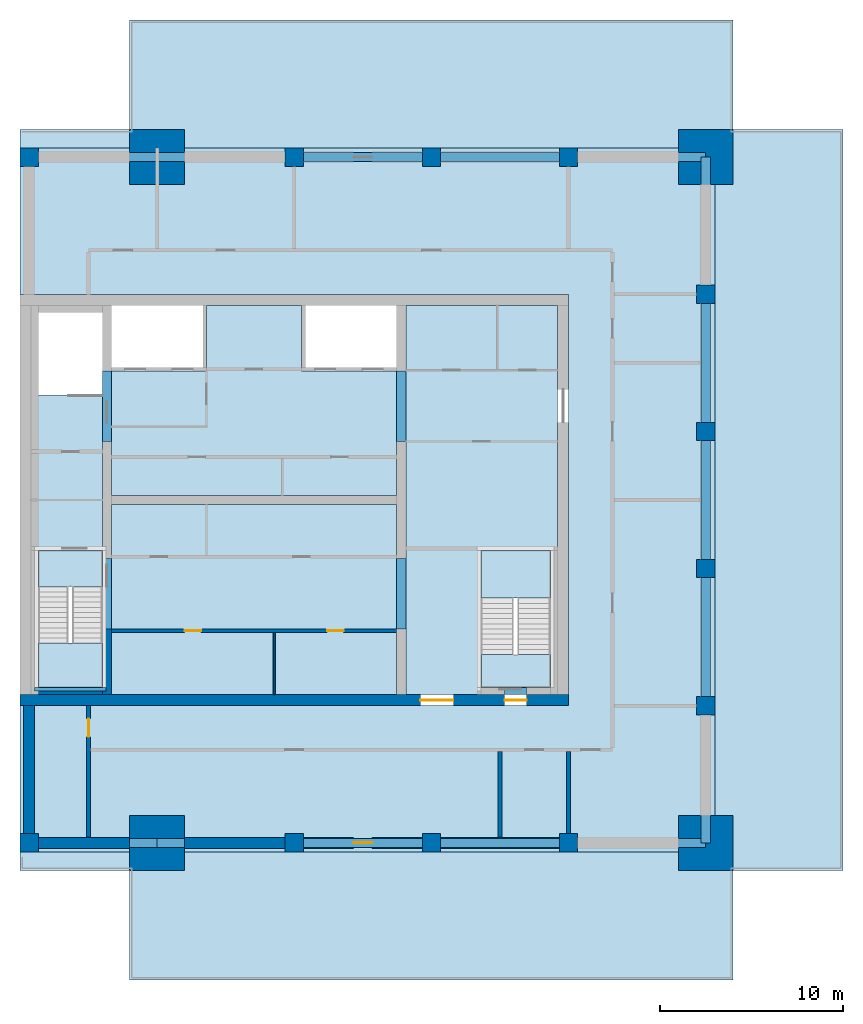
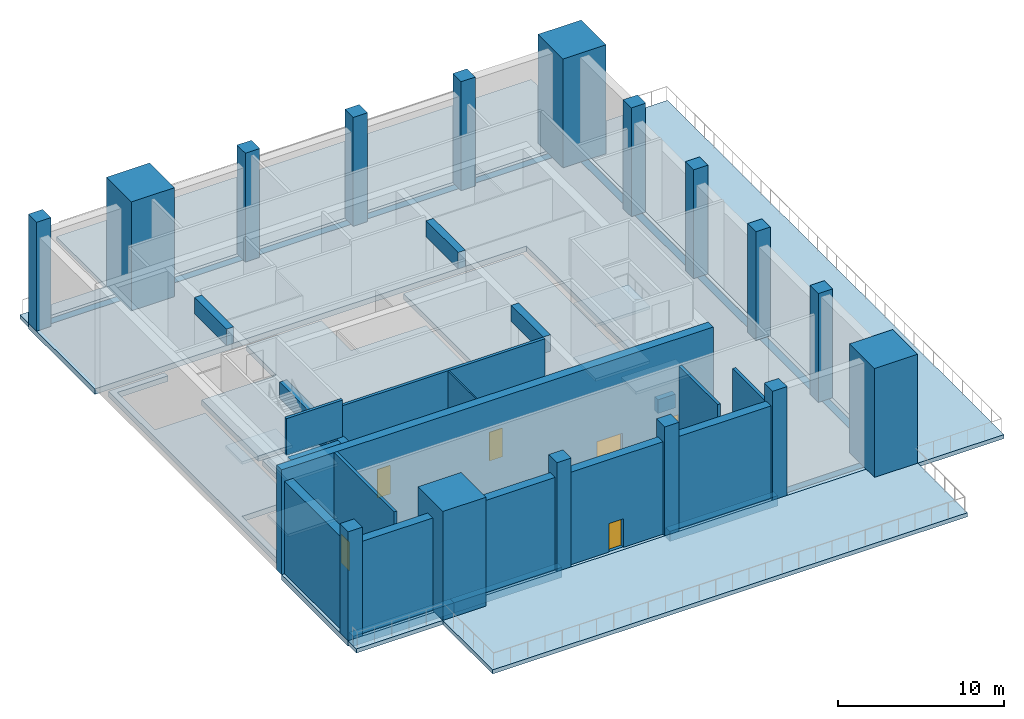
# One storey, part 1 of 7: 20 beams, 16 columns, 14 walls, 12 slabs, 6 doors, 6 openings, 2 elements without a shape of their own.
"""IFC4 building model written with IfcOpenShell, lengths in metres."""

from ifc_helpers import new_model, si_unit, direction, frame, frame_2d, origin, origin_2d, place, context, subcontext, project, spatial, polyline, rectangle, outline, extrude, material, layer, layer_set, material_profile, profile_set, type_object, element, fill, aggregate, save


model = new_model("IFC4")

# Units and contexts
model_context = context("Model", 3, precision=1e-05, world=origin(), true_north=direction((0.0, 1.0)))
body_context = subcontext(model_context, "Body", "Model", "MODEL_VIEW")
ifc_project = project(units=[si_unit("LENGTHUNIT", "METRE"), si_unit("AREAUNIT", "SQUARE_METRE"), si_unit("VOLUMEUNIT", "CUBIC_METRE"), si_unit("PLANEANGLEUNIT", "RADIAN"), si_unit("MASSUNIT", "GRAM", prefix="KILO")], contexts=[model_context])

# Site, building, storey
site_placement = place(None, origin())
site = spatial("IfcSite", under=ifc_project, at=site_placement, CompositionType="ELEMENT")
building_placement = place(site_placement, origin())
building = spatial("IfcBuilding", under=site, at=building_placement, Name="Tamorin Gate", CompositionType="ELEMENT")
storey_placement = place(building_placement, frame((0.0, 0.0, 320.199951171875)))
storey = spatial("IfcBuildingStorey", under=building, at=storey_placement, Name="L78", CompositionType="ELEMENT", Elevation=320.199951171875)

# Columns
ifc_material_1 = material(Name="Concrete C50/60", Category="concrete")
ifc_material_profile_1 = material_profile(ifc_material_1, rectangle(XDim=1.0, YDim=1.0, at=origin_2d()), Name="RC 1000x1000")
ifc_profile_set_1 = profile_set([ifc_material_profile_1], Name="Concrete C50/60")
column_type_1 = type_object("IfcColumnType", Name="RC column 1000x1000 C50/60", PredefinedType="COLUMN", material=ifc_profile_set_1)
for number, where, z_axis, x_axis, name in (
    (1, (30.5, 52.5, 0.0), (0.0, 0.0, 1.0), (1.0, 0.0, 0.0), "Ring column L78"),
    (2, (30.5, 90.0, 0.0), (0.0, 0.0, 1.0), (1.0, 0.0, 0.0), "Ring column L78"),
    (3, (45.0, 52.5, 0.0), (0.0, 0.0, 1.0), (1.0, 0.0, 0.0), "Ring column L78"),
    (4, (45.0, 90.0, 0.0), (0.0, 0.0, 1.0), (1.0, 0.0, 0.0), "Ring column L78"),
    (5, (52.5, 52.5, 0.0), (0.0, 0.0, 1.0), (1.0, 0.0, 0.0), "Ring column L78"),
    (6, (52.5, 90.0, 0.0), (0.0, 0.0, 1.0), (1.0, 0.0, 0.0), "Ring column L78"),
    (7, (60.0, 52.5, 0.0), (0.0, 0.0, 1.0), (1.0, 0.0, 0.0), "Ring column L78"),
    (8, (60.0, 90.0, 0.0), (0.0, 0.0, 1.0), (1.0, 0.0, 0.0), "Ring column L78"),
    (9, (67.5, 60.0, 0.0), (0.0, 0.0, 1.0), (1.0, 0.0, 0.0), "Ring column L78"),
    (10, (67.5, 67.5, 0.0), (0.0, 0.0, 1.0), (1.0, 0.0, 0.0), "Ring column L78"),
    (11, (67.5, 75.0, 0.0), (0.0, 0.0, 1.0), (1.0, 0.0, 0.0), "Ring column L78"),
    (12, (67.5, 82.5, 0.0), (0.0, 0.0, 1.0), (1.0, 0.0, 0.0), "Ring column L78"),
):
    element("IfcColumn", number, at=place(storey_placement, frame(where, z_axis=z_axis, x_axis=x_axis)), inside=storey, type_object=column_type_1, Name=name, PredefinedType="COLUMN", context=body_context, shape_type="SweptSolid", body=[
        extrude(rectangle(XDim=1.0, YDim=1.0, at=origin_2d()), origin(), (0.0, 0.0, 1.0), 8.0),
    ])
ifc_material_profile_2 = material_profile(ifc_material_1, rectangle(XDim=3.0, YDim=3.0, at=origin_2d()), Name="RC 3000x3000")
ifc_profile_set_2 = profile_set([ifc_material_profile_2], Name="Concrete C50/60")
column_type_2 = type_object("IfcColumnType", Name="RC column 3000x3000 C50/60", PredefinedType="COLUMN", material=ifc_profile_set_2)
for number, where, z_axis, x_axis, name in (
    (13, (37.5, 52.5, 0.0), (0.0, 0.0, 1.0), (1.0, 0.0, 0.0), "Mega column SW L78"),
    (14, (67.5, 52.5, 0.0), (0.0, 0.0, 1.0), (1.0, 0.0, 0.0), "Mega column SE L78"),
    (15, (37.5, 90.0, 0.0), (0.0, 0.0, 1.0), (1.0, 0.0, 0.0), "Mega column NW L78"),
    (16, (67.5, 90.0, 0.0), (0.0, 0.0, 1.0), (1.0, 0.0, 0.0), "Mega column NE L78"),
):
    element("IfcColumn", number, at=place(storey_placement, frame(where, z_axis=z_axis, x_axis=x_axis)), inside=storey, type_object=column_type_2, Name=name, PredefinedType="COLUMN", context=body_context, shape_type="SweptSolid", body=[
        extrude(rectangle(XDim=3.0, YDim=3.0, at=origin_2d()), origin(), (0.0, 0.0, 1.0), 8.0),
    ])

# Beams
ifc_material_profile_3 = material_profile(ifc_material_1, rectangle(XDim=0.5, YDim=1.199951171875, at=origin_2d()), Name="RC 500x1200")
ifc_profile_set_3 = profile_set([ifc_material_profile_3], Name="Concrete C50/60")
beam_type_1 = type_object("IfcBeamType", Name="RC coupling beam 500x1200 C50/60", PredefinedType="BEAM", material=ifc_profile_set_3)
for number, where, z_axis, x_axis, name in (
    (17, (34.75, 64.199951171875, 7.10009765625), (0.0, 1.0, 0.0), (-1.0, 0.0, 0.0), "Coupling beam L78"),
    (18, (34.75, 74.449951171875, 7.10009765625), (0.0, 1.0, 0.0), (-1.0, 0.0, 0.0), "Coupling beam L78"),
    (19, (50.85009765625, 64.199951171875, 7.10009765625), (0.0, 1.0, 0.0), (-1.0, 0.0, 0.0), "Coupling beam L78"),
    (20, (50.85009765625, 74.449951171875, 7.10009765625), (0.0, 1.0, 0.0), (-1.0, 0.0, 0.0), "Coupling beam L78"),
):
    element("IfcBeam", number, at=place(storey_placement, frame(where, z_axis=z_axis, x_axis=x_axis)), inside=storey, type_object=beam_type_1, Name=name, PredefinedType="BEAM", context=body_context, shape_type="SweptSolid", body=[
        extrude(rectangle(XDim=0.5, YDim=1.199951171875, at=origin_2d()), origin(), (0.0, 0.0, 1.0), 3.85009765625),
    ])
ifc_material_profile_4 = material_profile(ifc_material_1, rectangle(XDim=0.5, YDim=0.75, at=origin_2d()), Name="RC 500x750")
ifc_profile_set_4 = profile_set([ifc_material_profile_4], Name="Concrete C50/60")
beam_type_2 = type_object("IfcBeamType", Name="RC spandrel 500x750 C50/60", PredefinedType="BEAM", material=ifc_profile_set_4)
for number, where, z_axis, x_axis, name in (
    (21, (45.0, 52.5, -0.375), (1.0, 0.0, 0.0), (0.0, 1.0, 0.0), "Spandrel beam L78"),
    (22, (52.5, 52.5, -0.375), (1.0, 0.0, 0.0), (0.0, 1.0, 0.0), "Spandrel beam L78"),
    (23, (67.5, 60.0, -0.375), (0.0, 1.0, 0.0), (-1.0, 0.0, 0.0), "Spandrel beam L78"),
    (24, (67.5, 67.5, -0.375), (0.0, 1.0, 0.0), (-1.0, 0.0, 0.0), "Spandrel beam L78"),
    (25, (67.5, 75.0, -0.375), (0.0, 1.0, 0.0), (-1.0, 0.0, 0.0), "Spandrel beam L78"),
    (26, (60.0, 90.0, -0.375), (-1.0, 0.0, 0.0), (0.0, -1.0, 0.0), "Spandrel beam L78"),
    (27, (52.5, 90.0, -0.375), (-1.0, 0.0, 0.0), (0.0, -1.0, 0.0), "Spandrel beam L78"),
):
    element("IfcBeam", number, at=place(storey_placement, frame(where, z_axis=z_axis, x_axis=x_axis)), inside=storey, type_object=beam_type_2, Name=name, PredefinedType="BEAM", context=body_context, shape_type="SweptSolid", body=[
        extrude(rectangle(XDim=0.5, YDim=0.75, at=origin_2d()), origin(), (0.0, 0.0, 1.0), 7.5),
    ])
beam_1_placement = place(storey_placement, frame((37.5, 52.5, -0.375), z_axis=(-1.0, 0.0, 0.0), x_axis=(0.0, -1.0, 0.0)))
element("IfcBeam", 28, at=beam_1_placement, inside=storey, type_object=beam_type_2, Name="Corner tie beam L78", PredefinedType="BEAM", context=body_context, shape_type="SweptSolid", body=[
    extrude(rectangle(XDim=0.5, YDim=0.75, at=origin_2d()), origin(), (0.0, 0.0, 1.0), 7.0),
])
for number, where, z_axis, x_axis, name in (
    (29, (37.5, 52.5, -0.375), (1.0, 0.0, 0.0), (0.0, 1.0, 0.0), "Corner tie beam L78"),
    (30, (67.5, 52.5, -0.375), (-1.0, 0.0, 0.0), (0.0, -1.0, 0.0), "Corner tie beam L78"),
    (31, (67.5, 52.5, -0.375), (0.0, 1.0, 0.0), (-1.0, 0.0, 0.0), "Corner tie beam L78"),
):
    element("IfcBeam", number, at=place(storey_placement, frame(where, z_axis=z_axis, x_axis=x_axis)), inside=storey, type_object=beam_type_2, Name=name, PredefinedType="BEAM", context=body_context, shape_type="SweptSolid", body=[
        extrude(rectangle(XDim=0.5, YDim=0.75, at=origin_2d()), origin(), (0.0, 0.0, 1.0), 7.5),
    ])
beam_2_placement = place(storey_placement, frame((37.5, 90.0, -0.375), z_axis=(-1.0, 0.0, 0.0), x_axis=(0.0, -1.0, 0.0)))
element("IfcBeam", 32, at=beam_2_placement, inside=storey, type_object=beam_type_2, Name="Corner tie beam L78", PredefinedType="BEAM", context=body_context, shape_type="SweptSolid", body=[
    extrude(rectangle(XDim=0.5, YDim=0.75, at=origin_2d()), origin(), (0.0, 0.0, 1.0), 7.0),
])
for number, where, z_axis, x_axis, name in (
    (33, (37.5, 90.0, -0.375), (1.0, 0.0, 0.0), (0.0, 1.0, 0.0), "Corner tie beam L78"),
    (34, (67.5, 90.0, -0.375), (-1.0, 0.0, 0.0), (0.0, -1.0, 0.0), "Corner tie beam L78"),
    (35, (67.5, 90.0, -0.375), (0.0, -1.0, 0.0), (1.0, 0.0, 0.0), "Corner tie beam L78"),
):
    element("IfcBeam", number, at=place(storey_placement, frame(where, z_axis=z_axis, x_axis=x_axis)), inside=storey, type_object=beam_type_2, Name=name, PredefinedType="BEAM", context=body_context, shape_type="SweptSolid", body=[
        extrude(rectangle(XDim=0.5, YDim=0.75, at=origin_2d()), origin(), (0.0, 0.0, 1.0), 7.5),
    ])
ifc_material_profile_5 = material_profile(ifc_material_1, rectangle(XDim=0.39990234375, YDim=1.0, at=origin_2d()))
ifc_profile_set_5 = profile_set([ifc_material_profile_5], Name="Concrete C50/60")
beam_type_3 = type_object("IfcBeamType", Name="Stair lintel 400x1000 C50/60", PredefinedType="BEAM", material=ifc_profile_set_5)
beam_3_placement = place(storey_placement, frame((56.5, 60.800048828125, 2.699951171875), z_axis=(1.0, 0.0, 0.0), x_axis=(0.0, 1.0, 0.0)))
element("IfcBeam", 36, at=beam_3_placement, inside=storey, type_object=beam_type_3, Name="Stair lintel", PredefinedType="BEAM", context=body_context, shape_type="SweptSolid", body=[
    extrude(rectangle(XDim=0.39990234375, YDim=1.0, at=origin_2d()), origin(), (0.0, 0.0, 1.0), 1.199951171875),
])

# Slabs
ifc_material_2 = material(Name="Concrete C40/50", Category="concrete")
ifc_layer_1 = layer(ifc_material_2, 0.409912109375)
ifc_layer_set_1 = layer_set([ifc_layer_1], Name="Core floor slab 410 C40/50")
slab_type_1 = type_object("IfcSlabType", Name="Core floor slab 410 C40/50", PredefinedType="FLOOR", material=ifc_layer_set_1)
slab_1_placement = place(storey_placement, frame((0.0, 0.0, -0.409912109375)))
element("IfcSlab", 37, at=slab_1_placement, inside=storey, type_object=slab_type_1, Name="Core floor L78", PredefinedType="FLOOR", context=body_context, shape_type="SweptSolid", body=[
    extrude(outline(polyline([(51.10009765625, 81.89990234375), (59.39990234375, 81.89990234375), (59.39990234375, 60.60009765625), (51.10009765625, 60.60009765625), (51.10009765625, 81.89990234375)]), holes=[polyline([(55.199951171875, 62.800048828125), (59.0, 62.800048828125), (59.0, 68.5), (55.199951171875, 68.5), (55.199951171875, 62.800048828125)])]), origin(), (0.0, 0.0, 1.0), 0.409912109375),
])
slab_2_placement = place(storey_placement, frame((0.0, 0.0, -0.409912109375)))
element("IfcSlab", 38, at=slab_2_placement, inside=storey, type_object=slab_type_1, Name="Core floor L78", PredefinedType="FLOOR", context=body_context, shape_type="SweptSolid", body=[
    extrude(outline(polyline([(50.60009765625, 71.0), (50.60009765625, 60.60009765625), (35.0, 60.60009765625), (35.0, 71.0), (50.60009765625, 71.0)])), origin(), (0.0, 0.0, 1.0), 0.409912109375),
])
slab_3_placement = place(storey_placement, frame((0.0, 0.0, -0.409912109375)))
element("IfcSlab", 39, at=slab_3_placement, inside=storey, type_object=slab_type_1, Name="Core floor L78", PredefinedType="FLOOR", context=body_context, shape_type="SweptSolid", body=[
    extrude(outline(polyline([(40.199951171875, 78.300048828125), (40.199951171875, 81.89990234375), (45.39990234375, 81.89990234375), (45.39990234375, 78.300048828125), (50.60009765625, 78.300048828125), (50.60009765625, 71.5), (35.0, 71.5), (35.0, 78.300048828125), (40.199951171875, 78.300048828125)])), origin(), (0.0, 0.0, 1.0), 0.409912109375),
])
slab_4_placement = place(storey_placement, frame((0.0, 0.0, -0.409912109375)))
element("IfcSlab", 40, at=slab_4_placement, inside=storey, type_object=slab_type_1, Name="Core floor L78", PredefinedType="FLOOR", context=body_context, shape_type="SweptSolid", body=[
    extrude(outline(polyline([(34.5, 60.60009765625), (30.60009765625, 60.60009765625), (30.60009765625, 81.89990234375), (34.5, 81.89990234375), (34.5, 81.5), (31.0, 81.5), (31.0, 77.0), (34.5, 77.0), (34.5, 66.5), (31.0, 66.5), (31.0, 61.0), (34.5, 61.0), (34.5, 60.60009765625)])), origin(), (0.0, 0.0, 1.0), 0.409912109375),
])

# Stair, slabs
stair_type = type_object("IfcStairType", Name="Exit stair", PredefinedType="HALF_TURN_STAIR", material=ifc_material_2)
stair_1_placement = place(storey_placement, origin())
stair_1 = element("IfcStair", 41, at=stair_1_placement, inside=storey, type_object=stair_type, Name="L78 stair ST1", PredefinedType="HALF_TURN_STAIR")
ifc_layer_2 = layer(ifc_material_2, 0.199951171875)
ifc_layer_set_2 = layer_set([ifc_layer_2], Name="Exit stair landing 200")
slab_type_2 = type_object("IfcSlabType", Name="Exit stair landing 200", PredefinedType="LANDING", material=ifc_layer_set_2)
slab_5_placement = place(storey_placement, frame((0.0, 0.0, 1.800048828125)))
slab_5 = element("IfcSlab", 42, at=slab_5_placement, type_object=slab_type_2, Name="ST1 landing 1", PredefinedType="LANDING", context=body_context, shape_type="SweptSolid", body=[
    extrude(outline(polyline([(31.0, 63.419921875), (31.0, 61.0), (34.5, 61.0), (34.5, 63.419921875), (31.0, 63.419921875)])), origin(), (0.0, 0.0, 1.0), 0.199951171875),
])
slab_6_placement = place(storey_placement, frame((0.0, 0.0, 3.800048828125)))
slab_6 = element("IfcSlab", 43, at=slab_6_placement, type_object=slab_type_2, Name="ST1 landing 2", PredefinedType="LANDING", context=body_context, shape_type="SweptSolid", body=[
    extrude(outline(polyline([(31.0, 68.5), (31.0, 66.5), (34.5, 66.5), (34.5, 68.5), (31.0, 68.5)])), origin(), (0.0, 0.0, 1.0), 0.199951171875),
])
slab_7_placement = place(storey_placement, frame((0.0, 0.0, 5.800048828125)))
slab_7 = element("IfcSlab", 44, at=slab_7_placement, type_object=slab_type_2, Name="ST1 landing 3", PredefinedType="LANDING", context=body_context, shape_type="SweptSolid", body=[
    extrude(outline(polyline([(31.0, 63.419921875), (31.0, 61.0), (34.5, 61.0), (34.5, 63.419921875), (31.0, 63.419921875)])), origin(), (0.0, 0.0, 1.0), 0.199951171875),
])
aggregate(stair_1, [slab_5, slab_6, slab_7])

stair_2_placement = place(storey_placement, origin())
stair_2 = element("IfcStair", 45, at=stair_2_placement, inside=storey, type_object=stair_type, Name="L78 stair ST3", PredefinedType="HALF_TURN_STAIR")
slab_8_placement = place(storey_placement, frame((0.0, 0.0, 1.800048828125)))
slab_8 = element("IfcSlab", 46, at=slab_8_placement, type_object=slab_type_2, Name="ST3 landing 1", PredefinedType="LANDING", context=body_context, shape_type="SweptSolid", body=[
    extrude(outline(polyline([(59.0, 65.8798828125), (59.0, 68.5), (55.199951171875, 68.5), (55.199951171875, 65.8798828125), (59.0, 65.8798828125)])), origin(), (0.0, 0.0, 1.0), 0.199951171875),
])
slab_9_placement = place(storey_placement, frame((0.0, 0.0, 3.800048828125)))
slab_9 = element("IfcSlab", 47, at=slab_9_placement, type_object=slab_type_2, Name="ST3 landing 2", PredefinedType="LANDING", context=body_context, shape_type="SweptSolid", body=[
    extrude(outline(polyline([(59.0, 61.0), (59.0, 62.800048828125), (55.199951171875, 62.800048828125), (55.199951171875, 61.0), (59.0, 61.0)])), origin(), (0.0, 0.0, 1.0), 0.199951171875),
])
slab_10_placement = place(storey_placement, frame((0.0, 0.0, 5.800048828125)))
slab_10 = element("IfcSlab", 48, at=slab_10_placement, type_object=slab_type_2, Name="ST3 landing 3", PredefinedType="LANDING", context=body_context, shape_type="SweptSolid", body=[
    extrude(outline(polyline([(59.0, 65.8798828125), (59.0, 68.5), (55.199951171875, 68.5), (55.199951171875, 65.8798828125), (59.0, 65.8798828125)])), origin(), (0.0, 0.0, 1.0), 0.199951171875),
])
aggregate(stair_2, [slab_8, slab_9, slab_10])

# Slabs
ifc_material_3 = material(Name="Concrete C45/55", Category="concrete")
ifc_layer_3 = layer(ifc_material_3, 0.39990234375)
ifc_layer_set_3 = layer_set([ifc_layer_3], Name="Floor slab 400 C45/55")
slab_type_3 = type_object("IfcSlabType", Name="Floor slab 400 C45/55", PredefinedType="FLOOR", material=ifc_layer_set_3)
slab_11_placement = place(storey_placement, frame((0.0, 0.0, -0.39990234375)))
element("IfcSlab", 49, at=slab_11_placement, inside=storey, type_object=slab_type_3, Name="Floor L78", PredefinedType="FLOOR", context=body_context, shape_type="SweptSolid", body=[
    extrude(outline(polyline([(30.0, 90.5), (68.0, 90.5), (68.0, 52.0), (30.0, 52.0), (30.0, 60.0), (60.0, 60.0), (60.0, 82.5), (30.0, 82.5), (30.0, 90.5)])), origin(), (0.0, 0.0, 1.0), 0.39990234375),
])
ifc_layer_4 = layer(ifc_material_2, 0.300048828125)
ifc_layer_set_4 = layer_set([ifc_layer_4], Name="Terrace slab 300 C40/50")
slab_type_4 = type_object("IfcSlabType", Name="Terrace slab 300 C40/50", PredefinedType="ROOF", material=ifc_layer_set_4)
slab_12_placement = place(storey_placement, frame((0.0, 0.0, -0.300048828125)))
element("IfcSlab", 50, at=slab_12_placement, inside=storey, type_object=slab_type_4, Name="Terrace L78", PredefinedType="ROOF", context=body_context, shape_type="SweptSolid", body=[
    extrude(outline(polyline([(30.0, 91.5), (36.0, 91.5), (36.0, 97.5), (69.0, 97.5), (69.0, 91.5), (75.0, 91.5), (75.0, 51.0), (69.0, 51.0), (69.0, 45.0), (36.0, 45.0), (36.0, 51.0), (30.0, 51.0), (30.0, 52.0), (68.0, 52.0), (68.0, 90.5), (30.0, 90.5), (30.0, 91.5)])), origin(), (0.0, 0.0, 1.0), 0.300048828125),
])

# Walls
ifc_layer_5 = layer(ifc_material_2, 0.199951171875)
ifc_layer_set_5 = layer_set([ifc_layer_5], Name="Head-house wall 200 EI 120 C40/50")
wall_type_1 = type_object("IfcWallType", Name="Head-house wall 200 EI 120 C40/50", PredefinedType="SOLIDWALL", material=ifc_layer_set_5)
wall_1_placement = place(storey_placement, frame((30.800048828125, 60.89990234375, 8.0), z_axis=(0.0, 0.0, 1.0), x_axis=(1.0, 0.0, 0.0)))
element("IfcWall", 51, at=wall_1_placement, inside=storey, type_object=wall_type_1, Name="Head-house wall", PredefinedType="SOLIDWALL", context=body_context, shape_type="SweptSolid", body=[
    extrude(rectangle(XDim=3.89990234375, YDim=0.199951171875, at=frame_2d((1.949951171875, 0.0))), origin(), (0.0, 0.0, 1.0), 2.699951171875),
])
ifc_material_4 = material(Name="Aluminium louvres in concrete frame", Category="concrete")
ifc_layer_6 = layer(ifc_material_4, 0.60009765625)
ifc_layer_set_6 = layer_set([ifc_layer_6], Name="Louvred plant wall 600")
wall_type_2 = type_object("IfcWallType", Name="Louvred plant wall 600", PredefinedType="ELEMENTEDWALL", material=ifc_layer_set_6)
wall_2_placement = place(storey_placement, frame((31.0, 52.5, 0.0), z_axis=(0.0, 0.0, 1.0), x_axis=(1.0, 0.0, 0.0)))
element("IfcWall", 52, at=wall_2_placement, inside=storey, type_object=wall_type_2, Name="Louvred plant wall", PredefinedType="ELEMENTEDWALL", context=body_context, shape_type="SweptSolid", body=[
    extrude(rectangle(XDim=5.0, YDim=0.60009765625, at=frame_2d((2.5, 0.0))), origin(), (0.0, 0.0, 1.0), 6.800048828125),
])
wall_3_placement = place(storey_placement, frame((39.0, 52.5, 0.0), z_axis=(0.0, 0.0, 1.0), x_axis=(1.0, 0.0, 0.0)))
element("IfcWall", 53, at=wall_3_placement, inside=storey, type_object=wall_type_2, Name="Louvred plant wall", PredefinedType="ELEMENTEDWALL", context=body_context, shape_type="SweptSolid", body=[
    extrude(rectangle(XDim=5.5, YDim=0.60009765625, at=frame_2d((2.75, 0.0))), origin(), (0.0, 0.0, 1.0), 6.800048828125),
])

# Wall, opening, door
wall_4_placement = place(storey_placement, frame((45.5, 52.5, 0.0), z_axis=(0.0, 0.0, 1.0), x_axis=(1.0, 0.0, 0.0)))
wall_4 = element("IfcWall", 54, at=wall_4_placement, inside=storey, type_object=wall_type_2, Name="Louvred plant wall", PredefinedType="ELEMENTEDWALL", context=body_context, shape_type="SweptSolid", body=[
    extrude(rectangle(XDim=6.5, YDim=0.60009765625, at=frame_2d((3.25, 0.0))), origin(), (0.0, 0.0, 1.0), 6.800048828125),
])
opening_1_placement = place(wall_4_placement, frame((2.75, 0.0, 0.0)))
opening_1 = element("IfcOpeningElement", 55, at=opening_1_placement, cuts=wall_4, Name="Opening DX3", PredefinedType="OPENING", context=body_context, shape_type="SweptSolid", body=[
    extrude(rectangle(XDim=1.0, YDim=2.10009765625, at=frame_2d((0.5, 1.050048828125))), frame((0.0, 0.31005859375, 0.0), z_axis=(0.0, -1.0, 0.0), x_axis=(1.0, 0.0, 0.0)), (0.0, 0.0, 1.0), 0.6201171875),
])
ifc_material_5 = material(Name="Aluminium framed glazed leaf", Category="aluminium")
door_type_1 = type_object("IfcDoorType", Name="Terrace exit door 1000x2100", OperationType="SINGLE_SWING_LEFT", PredefinedType="DOOR", material=ifc_material_5)
door_1_placement = place(opening_1_placement, origin())
door_1 = element("IfcDoor", 56, at=door_1_placement, inside=storey, type_object=door_type_1, Name="Lobby door onto roof terrace", OperationType="SINGLE_SWING_LEFT", OverallHeight=2.10009765625, OverallWidth=1.0, PredefinedType="DOOR", context=body_context, shape_type="SweptSolid", body=[
    extrude(rectangle(XDim=1.0, YDim=2.10009765625, at=frame_2d((0.5, 1.050048828125))), frame((0.0, 0.02490234375, 0.0), z_axis=(0.0, -1.0, 0.0), x_axis=(1.0, 0.0, 0.0)), (0.0, 0.0, 1.0), 0.050048828125),
])
fill(opening_1, door_1)

# Walls
wall_5_placement = place(storey_placement, frame((53.0, 52.5, 0.0), z_axis=(0.0, 0.0, 1.0), x_axis=(1.0, 0.0, 0.0)))
element("IfcWall", 57, at=wall_5_placement, inside=storey, type_object=wall_type_2, Name="Louvred plant wall", PredefinedType="ELEMENTEDWALL", context=body_context, shape_type="SweptSolid", body=[
    extrude(rectangle(XDim=6.5, YDim=0.60009765625, at=frame_2d((3.25, 0.0))), origin(), (0.0, 0.0, 1.0), 6.800048828125),
])
wall_6_placement = place(storey_placement, frame((30.5, 60.0, 0.0), z_axis=(0.0, 0.0, 1.0), x_axis=(0.0, -1.0, 0.0)))
element("IfcWall", 58, at=wall_6_placement, inside=storey, type_object=wall_type_2, Name="Louvred plant wall", PredefinedType="ELEMENTEDWALL", context=body_context, shape_type="SweptSolid", body=[
    extrude(rectangle(XDim=7.0, YDim=0.60009765625, at=frame_2d((3.5, 0.0))), origin(), (0.0, 0.0, 1.0), 6.800048828125),
])

# Wall, opening, door
ifc_material_6 = material(Name="Gypsum board partition")
ifc_layer_7 = layer(ifc_material_6, 0.199951171875)
ifc_layer_set_7 = layer_set([ifc_layer_7], Name="Plant and refuge wall 200")
wall_type_3 = type_object("IfcWallType", Name="Plant and refuge wall 200", PredefinedType="PARTITIONING", material=ifc_layer_set_7)
wall_7_placement = place(storey_placement, frame((33.75, 52.81005859375, 0.0), z_axis=(0.0, 0.0, 1.0), x_axis=(0.0, 1.0, 0.0)))
wall_7 = element("IfcWall", 59, at=wall_7_placement, inside=storey, type_object=wall_type_3, Name="Plant and refuge wall 200", PredefinedType="PARTITIONING", context=body_context, shape_type="SweptSolid", body=[
    extrude(rectangle(XDim=7.18994140625, YDim=0.199951171875, at=frame_2d((3.594970703125, 0.0))), origin(), (0.0, 0.0, 1.0), 7.699951171875),
])
opening_2_placement = place(wall_7_placement, frame((5.489990234375, 0.0, 0.0)))
opening_2 = element("IfcOpeningElement", 60, at=opening_2_placement, cuts=wall_7, Name="Opening DCR1001", PredefinedType="OPENING", context=body_context, shape_type="SweptSolid", body=[
    extrude(rectangle(XDim=1.0, YDim=2.10009765625, at=frame_2d((0.5, 1.050048828125))), frame((0.0, 0.10986328125, 0.0), z_axis=(0.0, -1.0, 0.0), x_axis=(1.0, 0.0, 0.0)), (0.0, 0.0, 1.0), 0.219970703125),
])
ifc_material_7 = material(Name="Timber door leaf", Category="wood")
door_type_2 = type_object("IfcDoorType", Name="Door 1000 x 2100 FD60", OperationType="NOTDEFINED", PredefinedType="DOOR", material=ifc_material_7)
door_2_placement = place(opening_2_placement, origin())
door_2 = element("IfcDoor", 61, at=door_2_placement, inside=storey, type_object=door_type_2, Name="Door DCR1001", OperationType="SINGLE_SWING_LEFT", OverallHeight=2.10009765625, OverallWidth=1.0, PredefinedType="DOOR", context=body_context, shape_type="SweptSolid", body=[
    extrude(rectangle(XDim=1.0, YDim=2.10009765625, at=frame_2d((0.5, 1.050048828125))), frame((0.0, 0.02490234375, 0.0), z_axis=(0.0, -1.0, 0.0), x_axis=(1.0, 0.0, 0.0)), (0.0, 0.0, 1.0), 0.050048828125),
])
fill(opening_2, door_2)

# Walls
wall_8_placement = place(storey_placement, frame((56.25, 52.81005859375, 0.0), z_axis=(0.0, 0.0, 1.0), x_axis=(0.0, 1.0, 0.0)))
element("IfcWall", 62, at=wall_8_placement, inside=storey, type_object=wall_type_3, Name="Plant and refuge wall 200", PredefinedType="PARTITIONING", context=body_context, shape_type="SweptSolid", body=[
    extrude(rectangle(XDim=4.68994140625, YDim=0.199951171875, at=frame_2d((2.344970703125, 0.0))), origin(), (0.0, 0.0, 1.0), 7.699951171875),
])
wall_9_placement = place(storey_placement, frame((60.0, 52.0, 0.0), z_axis=(0.0, 0.0, 1.0), x_axis=(0.0, 1.0, 0.0)))
element("IfcWall", 63, at=wall_9_placement, inside=storey, type_object=wall_type_3, Name="Plant and refuge wall 200", PredefinedType="PARTITIONING", context=body_context, shape_type="SweptSolid", body=[
    extrude(rectangle(XDim=5.5, YDim=0.199951171875, at=frame_2d((2.75, 0.0))), origin(), (0.0, 0.0, 1.0), 6.199951171875),
])
ifc_layer_8 = layer(ifc_material_1, 0.5)
ifc_layer_set_8 = layer_set([ifc_layer_8], Name="RC core internal wall 500 C50/60")
wall_type_4 = type_object("IfcWallType", Name="RC core internal wall 500 C50/60", PredefinedType="SHEAR", material=ifc_layer_set_8)
wall_10_placement = place(storey_placement, frame((34.75, 60.60009765625, 0.0), z_axis=(0.0, 0.0, 1.0), x_axis=(0.0, 1.0, 0.0)))
element("IfcWall", 64, at=wall_10_placement, inside=storey, type_object=wall_type_4, Name="Core cross wall L78", PredefinedType="SHEAR", context=body_context, shape_type="SweptSolid", body=[
    extrude(rectangle(XDim=3.599853515625, YDim=0.5, at=frame_2d((1.7998046875, 0.0))), origin(), (0.0, 0.0, 1.0), 7.699951171875),
])

# Wall, openings, doors
ifc_layer_9 = layer(ifc_material_1, 0.60009765625)
ifc_layer_set_9 = layer_set([ifc_layer_9], Name="RC core wall 600 C50/60")
wall_type_5 = type_object("IfcWallType", Name="RC core wall 600 C50/60", PredefinedType="SHEAR", material=ifc_layer_set_9)
wall_11_placement = place(storey_placement, frame((30.0, 60.300048828125, 0.0), z_axis=(0.0, 0.0, 1.0), x_axis=(1.0, 0.0, 0.0)))
wall_11 = element("IfcWall", 65, at=wall_11_placement, inside=storey, type_object=wall_type_5, Name="Core wall L78", PredefinedType="SHEAR", context=body_context, shape_type="SweptSolid", body=[
    extrude(rectangle(XDim=30.0, YDim=0.60009765625, at=frame_2d((15.0, 0.0))), origin(), (0.0, 0.0, 1.0), 7.699951171875),
])
opening_3_placement = place(wall_11_placement, frame((21.89990234375, 0.0, 0.0)))
opening_3 = element("IfcOpeningElement", 66, at=opening_3_placement, cuts=wall_11, Name="Opening DE1", PredefinedType="OPENING", context=body_context, shape_type="SweptSolid", body=[
    extrude(rectangle(XDim=1.800048828125, YDim=2.10009765625, at=frame_2d((0.89990234375, 1.050048828125))), frame((0.0, 0.31005859375, 0.0), z_axis=(0.0, -1.0, 0.0), x_axis=(1.0, 0.0, 0.0)), (0.0, 0.0, 1.0), 0.6201171875),
])
opening_4_placement = place(wall_11_placement, frame((26.5, 0.0, 0.0)))
opening_4 = element("IfcOpeningElement", 67, at=opening_4_placement, cuts=wall_11, Name="Opening DS1", PredefinedType="OPENING", context=body_context, shape_type="SweptSolid", body=[
    extrude(rectangle(XDim=1.199951171875, YDim=2.10009765625, at=frame_2d((0.60009765625, 1.050048828125))), frame((0.0, 0.31005859375, 0.0), z_axis=(0.0, -1.0, 0.0), x_axis=(1.0, 0.0, 0.0)), (0.0, 0.0, 1.0), 0.6201171875),
])
ifc_material_8 = material(Name="Steel fire door", Category="steel")
door_type_3 = type_object("IfcDoorType", Name="Lobby exit double door 1800 x 2100 EI 60", OperationType="DOUBLE_DOOR_SINGLE_SWING", PredefinedType="DOOR", material=ifc_material_8)
door_3_placement = place(opening_3_placement, origin())
door_3 = element("IfcDoor", 68, at=door_3_placement, inside=storey, type_object=door_type_3, Name="Lift lobby A exit door", OperationType="DOUBLE_DOOR_SINGLE_SWING", OverallHeight=2.10009765625, OverallWidth=1.800048828125, PredefinedType="DOOR", context=body_context, shape_type="SweptSolid", body=[
    extrude(rectangle(XDim=1.800048828125, YDim=2.10009765625, at=frame_2d((0.89990234375, 1.050048828125))), frame((0.0, 0.02490234375, 0.0), z_axis=(0.0, -1.0, 0.0), x_axis=(1.0, 0.0, 0.0)), (0.0, 0.0, 1.0), 0.050048828125),
])
fill(opening_3, door_3)
door_type_4 = type_object("IfcDoorType", Name="Stair door 1200 x 2100 EI 90", OperationType="SINGLE_SWING_LEFT", PredefinedType="DOOR", material=ifc_material_8)
door_4_placement = place(opening_4_placement, origin())
door_4 = element("IfcDoor", 69, at=door_4_placement, inside=storey, type_object=door_type_4, Name="ST3 door", OperationType="SINGLE_SWING_LEFT", OverallHeight=2.10009765625, OverallWidth=1.199951171875, PredefinedType="DOOR", context=body_context, shape_type="SweptSolid", body=[
    extrude(rectangle(XDim=1.199951171875, YDim=2.10009765625, at=frame_2d((0.60009765625, 1.050048828125))), frame((0.0, 0.02490234375, 0.0), z_axis=(0.0, -1.0, 0.0), x_axis=(1.0, 0.0, 0.0)), (0.0, 0.0, 1.0), 0.050048828125),
])
fill(opening_4, door_4)

ifc_layer_10 = layer(ifc_material_6, 0.199951171875)
ifc_layer_set_10 = layer_set([ifc_layer_10], Name="Service room face wall 200 EI 60")
wall_type_6 = type_object("IfcWallType", Name="Service room face wall 200 EI 60", PredefinedType="PARTITIONING", material=ifc_layer_set_10)
wall_12_placement = place(storey_placement, frame((35.0, 64.10009765625, 0.0), z_axis=(0.0, 0.0, 1.0), x_axis=(1.0, 0.0, 0.0)))
wall_12 = element("IfcWall", 70, at=wall_12_placement, inside=storey, type_object=wall_type_6, Name="Service room face wall", PredefinedType="PARTITIONING", context=body_context, shape_type="SweptSolid", body=[
    extrude(rectangle(XDim=15.60009765625, YDim=0.199951171875, at=frame_2d((7.800048828125, 0.0))), origin(), (0.0, 0.0, 1.0), 7.699951171875),
])
opening_5_placement = place(wall_12_placement, frame((4.0, 0.0, 0.0)))
opening_5 = element("IfcOpeningElement", 71, at=opening_5_placement, cuts=wall_12, Name="Opening DK1", PredefinedType="OPENING", context=body_context, shape_type="SweptSolid", body=[
    extrude(rectangle(XDim=0.89990234375, YDim=2.10009765625, at=frame_2d((0.449951171875, 1.050048828125))), frame((0.0, 0.10986328125, 0.0), z_axis=(0.0, -1.0, 0.0), x_axis=(1.0, 0.0, 0.0)), (0.0, 0.0, 1.0), 0.219970703125),
])
opening_6_placement = place(wall_12_placement, frame((11.800048828125, 0.0, 0.0)))
opening_6 = element("IfcOpeningElement", 72, at=opening_6_placement, cuts=wall_12, Name="Opening DK1", PredefinedType="OPENING", context=body_context, shape_type="SweptSolid", body=[
    extrude(rectangle(XDim=0.89990234375, YDim=2.10009765625, at=frame_2d((0.449951171875, 1.050048828125))), frame((0.0, 0.10986328125, 0.0), z_axis=(0.0, -1.0, 0.0), x_axis=(1.0, 0.0, 0.0)), (0.0, 0.0, 1.0), 0.219970703125),
])
ifc_material_9 = material(Name="Timber fire door", Category="wood")
door_type_5 = type_object("IfcDoorType", Name="Service room door 900 x 2100 EI 60", OperationType="SINGLE_SWING_LEFT", PredefinedType="DOOR", material=ifc_material_9)
door_5_placement = place(opening_5_placement, origin())
door_5 = element("IfcDoor", 73, at=door_5_placement, inside=storey, type_object=door_type_5, Name="Door Electrical switch room", OperationType="SINGLE_SWING_RIGHT", OverallHeight=2.10009765625, OverallWidth=0.89990234375, PredefinedType="DOOR", context=body_context, shape_type="SweptSolid", body=[
    extrude(rectangle(XDim=0.89990234375, YDim=2.10009765625, at=frame_2d((0.449951171875, 1.050048828125))), frame((0.0, 0.02490234375, 0.0), z_axis=(0.0, -1.0, 0.0), x_axis=(1.0, 0.0, 0.0)), (0.0, 0.0, 1.0), 0.050048828125),
])
fill(opening_5, door_5)
door_6_placement = place(opening_6_placement, origin())
door_6 = element("IfcDoor", 74, at=door_6_placement, inside=storey, type_object=door_type_5, Name="Door Fire pump room", OperationType="SINGLE_SWING_LEFT", OverallHeight=2.10009765625, OverallWidth=0.89990234375, PredefinedType="DOOR", context=body_context, shape_type="SweptSolid", body=[
    extrude(rectangle(XDim=0.89990234375, YDim=2.10009765625, at=frame_2d((0.449951171875, 1.050048828125))), frame((0.0, 0.02490234375, 0.0), z_axis=(0.0, -1.0, 0.0), x_axis=(1.0, 0.0, 0.0)), (0.0, 0.0, 1.0), 0.050048828125),
])
fill(opening_6, door_6)

# Walls
ifc_layer_11 = layer(ifc_material_6, 0.10009765625)
ifc_layer_set_11 = layer_set([ifc_layer_11], Name="Service room partition 100 EI 60")
wall_type_7 = type_object("IfcWallType", Name="Service room partition 100 EI 60", PredefinedType="PARTITIONING", material=ifc_layer_set_11)
wall_13_placement = place(storey_placement, frame((43.89990234375, 60.60009765625, 0.0), z_axis=(0.0, 0.0, 1.0), x_axis=(0.0, 1.0, 0.0)))
element("IfcWall", 75, at=wall_13_placement, inside=storey, type_object=wall_type_7, Name="Service room partition", PredefinedType="PARTITIONING", context=body_context, shape_type="SweptSolid", body=[
    extrude(rectangle(XDim=3.39990234375, YDim=0.10009765625, at=frame_2d((1.699951171875, 0.0))), origin(), (0.0, 0.0, 1.0), 7.699951171875),
])
ifc_layer_12 = layer(ifc_material_1, 0.39990234375)
ifc_layer_set_12 = layer_set([ifc_layer_12], Name="Stair lining wall 400 EI 120 C50/60")
wall_type_8 = type_object("IfcWallType", Name="Stair lining wall 400 EI 120 C50/60", PredefinedType="SOLIDWALL", material=ifc_layer_set_12)
wall_14_placement = place(storey_placement, frame((31.0, 60.800048828125, 0.0), z_axis=(0.0, 0.0, 1.0), x_axis=(1.0, 0.0, 0.0)))
element("IfcWall", 76, at=wall_14_placement, inside=storey, type_object=wall_type_8, Name="Stair lining wall", PredefinedType="SOLIDWALL", context=body_context, shape_type="SweptSolid", body=[
    extrude(rectangle(XDim=3.5, YDim=0.39990234375, at=frame_2d((1.75, 0.0))), origin(), (0.0, 0.0, 1.0), 7.699951171875),
])

save(model, "model.ifc")
